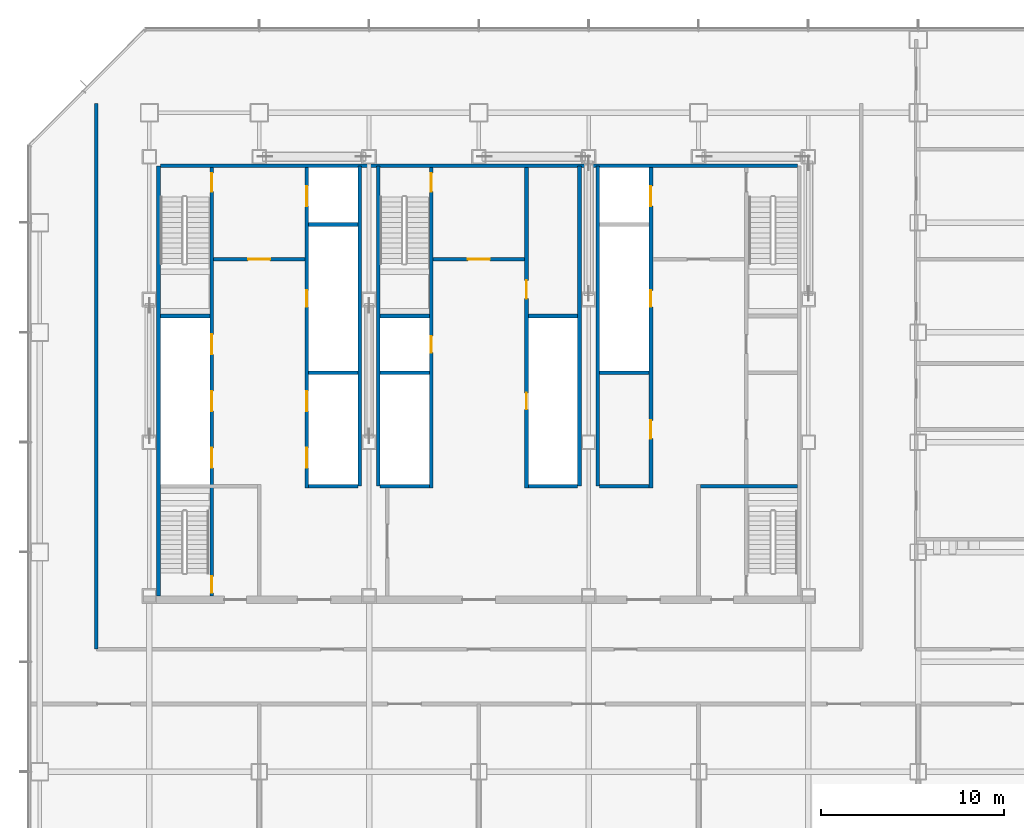
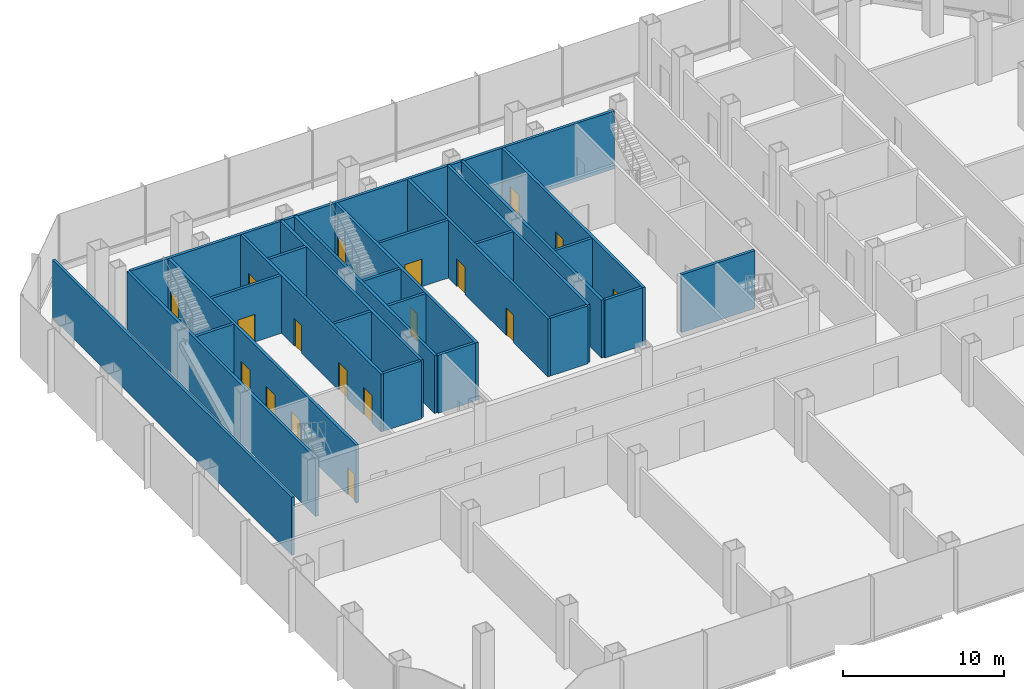
# One storey, part 24 of 33: 26 walls, 18 doors, 18 openings.
"""IFC4 building model written with IfcOpenShell, lengths in metres."""

from ifc_helpers import new_model, si_unit, direction, frame, frame_2d, origin, place, context, subcontext, project, spatial, rectangle, extrude, material, layer, layer_set, type_object, element, fill, save


model = new_model("IFC4")

# Units and contexts
model_context = context("Model", 3, precision=1e-05, world=origin(), true_north=direction((0.0, 1.0)))
body_context = subcontext(model_context, "Body", "Model", "MODEL_VIEW")
ifc_project = project(units=[si_unit("LENGTHUNIT", "METRE"), si_unit("AREAUNIT", "SQUARE_METRE"), si_unit("VOLUMEUNIT", "CUBIC_METRE"), si_unit("PLANEANGLEUNIT", "RADIAN"), si_unit("MASSUNIT", "GRAM", prefix="KILO")], contexts=[model_context])

# Site, building, storey
site_placement = place(None, origin())
site = spatial("IfcSite", under=ifc_project, at=site_placement, CompositionType="ELEMENT")
building_placement = place(site_placement, origin())
building = spatial("IfcBuilding", under=site, at=building_placement, Name="Sorahane Residences", CompositionType="ELEMENT")
storey_placement = place(building_placement, frame((0.0, 0.0, 30.0)))
storey = spatial("IfcBuildingStorey", under=building, at=storey_placement, Name="L04", CompositionType="ELEMENT", Elevation=30.0)

# Walls
ifc_material_1 = material(Name="Concrete C30", Category="concrete")
ifc_layer_1 = layer(ifc_material_1, 0.199951171875)
ifc_layer_set_1 = layer_set([ifc_layer_1], Name="Core face wall 200 EI 180")
wall_type_1 = type_object("IfcWallType", Name="Core face wall 200 EI 180", PredefinedType="SOLIDWALL", material=ifc_layer_set_1)
wall_1_placement = place(storey_placement, frame((6.5, 21.60009765625, 0.0), z_axis=(0.0, 0.0, 1.0), x_axis=(0.0, 1.0, 0.0)))
element("IfcWall", 1, at=wall_1_placement, inside=storey, type_object=wall_type_1, Name="L04 core face wall", PredefinedType="SOLIDWALL", context=body_context, shape_type="SweptSolid", body=[
    extrude(rectangle(XDim=23.5, YDim=0.199951171875, at=frame_2d((11.75, 0.0))), origin(), (0.0, 0.0, 1.0), 4.39990234375),
])
wall_2_placement = place(storey_placement, frame((6.60009765625, 45.10009765625, 0.0), z_axis=(0.0, 0.0, 1.0), x_axis=(1.0, 0.0, 0.0)))
element("IfcWall", 2, at=wall_2_placement, inside=storey, type_object=wall_type_1, Name="L04 core face wall", PredefinedType="SOLIDWALL", context=body_context, shape_type="SweptSolid", body=[
    extrude(rectangle(XDim=34.7998046875, YDim=0.199951171875, at=frame_2d((17.39990234375, 0.0))), origin(), (0.0, 0.0, 1.0), 4.39990234375),
])
for number, where, z_axis, x_axis, name in (
    (3, (17.5, 27.60009765625, 0.0), (0.0, 0.0, 1.0), (0.0, 1.0, 0.0), "L04 core face wall"),
    (4, (18.5, 27.60009765625, 0.0), (0.0, 0.0, 1.0), (0.0, 1.0, 0.0), "L04 core face wall"),
    (5, (29.5, 27.60009765625, 0.0), (0.0, 0.0, 1.0), (0.0, 1.0, 0.0), "L04 core face wall"),
    (6, (30.5, 27.60009765625, 0.0), (0.0, 0.0, 1.0), (0.0, 1.0, 0.0), "L04 core face wall"),
):
    element("IfcWall", number, at=place(storey_placement, frame(where, z_axis=z_axis, x_axis=x_axis)), inside=storey, type_object=wall_type_1, Name=name, PredefinedType="SOLIDWALL", context=body_context, shape_type="SweptSolid", body=[
        extrude(rectangle(XDim=17.5, YDim=0.199951171875, at=frame_2d((8.75, 0.0))), origin(), (0.0, 0.0, 1.0), 4.39990234375),
    ])
ifc_material_2 = material(Name="Concrete blockwork C20 wall", Category="masonry")
ifc_layer_2 = layer(ifc_material_2, 0.199951171875)
ifc_layer_set_2 = layer_set([ifc_layer_2], Name="Corridor wall 200 EI 120")
wall_type_2 = type_object("IfcWallType", Name="Corridor wall 200 EI 120", PredefinedType="SOLIDWALL", material=ifc_layer_set_2)
wall_3_placement = place(storey_placement, frame((3.10009765625, 18.699951171875, 0.0), z_axis=(0.0, 0.0, 1.0), x_axis=(0.0, 1.0, 0.0)))
element("IfcWall", 7, at=wall_3_placement, inside=storey, type_object=wall_type_2, Name="L04 corridor wall", PredefinedType="SOLIDWALL", context=body_context, shape_type="SweptSolid", body=[
    extrude(rectangle(XDim=29.800048828125, YDim=0.199951171875, at=frame_2d((14.89990234375, 0.0))), origin(), (0.0, 0.0, 1.0), 4.39990234375),
])

# Wall, opening, door
ifc_material_3 = material(Name="Concrete C30", Category="concrete")
ifc_layer_3 = layer(ifc_material_3, 0.199951171875)
ifc_layer_set_3 = layer_set([ifc_layer_3], Name="Front room wall 200 EI 120")
wall_type_3 = type_object("IfcWallType", Name="Front room wall 200 EI 120", PredefinedType="PARTITIONING", material=ifc_layer_set_3)
wall_4_placement = place(storey_placement, frame((21.5, 40.0, 0.0), z_axis=(0.0, 0.0, 1.0), x_axis=(1.0, 0.0, 0.0)))
wall_4 = element("IfcWall", 8, at=wall_4_placement, inside=storey, type_object=wall_type_3, Name="L04 front room wall", PredefinedType="PARTITIONING", context=body_context, shape_type="SweptSolid", body=[
    extrude(rectangle(XDim=5.0, YDim=0.199951171875, at=frame_2d((2.5, 0.0))), origin(), (0.0, 0.0, 1.0), 4.39990234375),
])
opening_1_placement = place(wall_4_placement, frame((1.89990234375, 0.0, 0.0)))
opening_1 = element("IfcOpeningElement", 9, at=opening_1_placement, cuts=wall_4, Name="Opening L04-C08", PredefinedType="OPENING", context=body_context, shape_type="SweptSolid", body=[
    extrude(rectangle(XDim=1.199951171875, YDim=2.10009765625, at=frame_2d((0.60009765625, 1.050048828125))), frame((0.0, 0.10986328125, 0.0), z_axis=(0.0, -1.0, 0.0), x_axis=(1.0, 0.0, 0.0)), (0.0, 0.0, 1.0), 0.219970703125),
])
ifc_material_4 = material(Name="Steel", Category="steel")
door_type_1 = type_object("IfcDoorType", Name="Front room door 1200x2100 FD120", OperationType="NOTDEFINED", PredefinedType="DOOR", material=ifc_material_4)
door_1_placement = place(opening_1_placement, frame((1.199951171875, 0.0, 0.0), z_axis=(0.0, 0.0, 1.0), x_axis=(-1.0, 0.0, 0.0)))
door_1 = element("IfcDoor", 10, at=door_1_placement, inside=storey, type_object=door_type_1, Name="Front room door Stair S3 vestibule L04", OperationType="DOUBLE_DOOR_SINGLE_SWING", OverallHeight=2.10009765625, OverallWidth=1.199951171875, PredefinedType="DOOR", context=body_context, shape_type="SweptSolid", body=[
    extrude(rectangle(XDim=1.199951171875, YDim=2.10009765625, at=frame_2d((0.60009765625, 1.050048828125))), frame((0.0, 0.02490234375, 0.0), z_axis=(0.0, -1.0, 0.0), x_axis=(1.0, 0.0, 0.0)), (0.0, 0.0, 1.0), 0.050048828125),
])
fill(opening_1, door_1)

wall_5_placement = place(storey_placement, frame((9.5, 40.0, 0.0), z_axis=(0.0, 0.0, 1.0), x_axis=(1.0, 0.0, 0.0)))
wall_5 = element("IfcWall", 11, at=wall_5_placement, inside=storey, type_object=wall_type_3, Name="L04 front room wall", PredefinedType="PARTITIONING", context=body_context, shape_type="SweptSolid", body=[
    extrude(rectangle(XDim=5.0, YDim=0.199951171875, at=frame_2d((2.5, 0.0))), origin(), (0.0, 0.0, 1.0), 4.39990234375),
])
opening_2_placement = place(wall_5_placement, frame((1.89990234375, 0.0, 0.0)))
opening_2 = element("IfcOpeningElement", 12, at=opening_2_placement, cuts=wall_5, Name="Opening L04-C07", PredefinedType="OPENING", context=body_context, shape_type="SweptSolid", body=[
    extrude(rectangle(XDim=1.199951171875, YDim=2.10009765625, at=frame_2d((0.60009765625, 1.050048828125))), frame((0.0, 0.10986328125, 0.0), z_axis=(0.0, -1.0, 0.0), x_axis=(1.0, 0.0, 0.0)), (0.0, 0.0, 1.0), 0.219970703125),
])
door_2_placement = place(opening_2_placement, frame((1.199951171875, 0.0, 0.0), z_axis=(0.0, 0.0, 1.0), x_axis=(-1.0, 0.0, 0.0)))
door_2 = element("IfcDoor", 13, at=door_2_placement, inside=storey, type_object=door_type_1, Name="Front room door Firefighting lobby FF1 front room L04", OperationType="DOUBLE_DOOR_SINGLE_SWING", OverallHeight=2.10009765625, OverallWidth=1.199951171875, PredefinedType="DOOR", context=body_context, shape_type="SweptSolid", body=[
    extrude(rectangle(XDim=1.199951171875, YDim=2.10009765625, at=frame_2d((0.60009765625, 1.050048828125))), frame((0.0, 0.02490234375, 0.0), z_axis=(0.0, -1.0, 0.0), x_axis=(1.0, 0.0, 0.0)), (0.0, 0.0, 1.0), 0.050048828125),
])
fill(opening_2, door_2)

# Wall, openings, doors
ifc_material_5 = material(Name="Concrete C30", Category="concrete")
ifc_layer_4 = layer(ifc_material_5, 0.199951171875)
ifc_layer_set_4 = layer_set([ifc_layer_4], Name="Lift shaft wall 200 EI 120")
wall_type_4 = type_object("IfcWallType", Name="Lift shaft wall 200 EI 120", PredefinedType="SOLIDWALL", material=ifc_layer_set_4)
wall_6_placement = place(storey_placement, frame((14.60009765625, 27.5, 0.0), z_axis=(0.0, 0.0, 1.0), x_axis=(0.0, 1.0, 0.0)))
wall_6 = element("IfcWall", 14, at=wall_6_placement, inside=storey, type_object=wall_type_4, Name="L04 lift shaft wall", PredefinedType="SOLIDWALL", context=body_context, shape_type="SweptSolid", body=[
    extrude(rectangle(XDim=17.5, YDim=0.199951171875, at=frame_2d((8.75, 0.0))), origin(), (0.0, 0.0, 1.0), 4.39990234375),
])
opening_3_placement = place(wall_6_placement, frame((1.10009765625, 0.0, 0.0)))
opening_3 = element("IfcOpeningElement", 15, at=opening_3_placement, cuts=wall_6, Name="Opening L04-C11", PredefinedType="OPENING", context=body_context, shape_type="SweptSolid", body=[
    extrude(rectangle(XDim=1.10009765625, YDim=2.10009765625, at=frame_2d((0.550048828125, 1.050048828125))), frame((0.0, 0.10986328125, 0.0), z_axis=(0.0, -1.0, 0.0), x_axis=(1.0, 0.0, 0.0)), (0.0, 0.0, 1.0), 0.219970703125),
])
opening_4_placement = place(wall_6_placement, frame((4.199951171875, 0.0, 0.0)))
opening_4 = element("IfcOpeningElement", 16, at=opening_4_placement, cuts=wall_6, Name="Opening L04-C12", PredefinedType="OPENING", context=body_context, shape_type="SweptSolid", body=[
    extrude(rectangle(XDim=1.10009765625, YDim=2.10009765625, at=frame_2d((0.550048828125, 1.050048828125))), frame((0.0, 0.10986328125, 0.0), z_axis=(0.0, -1.0, 0.0), x_axis=(1.0, 0.0, 0.0)), (0.0, 0.0, 1.0), 0.219970703125),
])
opening_5_placement = place(wall_6_placement, frame((15.39990234375, 0.0, 0.0)))
opening_5 = element("IfcOpeningElement", 17, at=opening_5_placement, cuts=wall_6, Name="Opening L04-C13", PredefinedType="OPENING", context=body_context, shape_type="SweptSolid", body=[
    extrude(rectangle(XDim=1.10009765625, YDim=2.10009765625, at=frame_2d((0.550048828125, 1.050048828125))), frame((0.0, 0.10986328125, 0.0), z_axis=(0.0, -1.0, 0.0), x_axis=(1.0, 0.0, 0.0)), (0.0, 0.0, 1.0), 0.219970703125),
])
opening_6_placement = place(wall_6_placement, frame((9.89990234375, 0.0, 0.0)))
opening_6 = element("IfcOpeningElement", 18, at=opening_6_placement, cuts=wall_6, Name="Opening L04-C25", PredefinedType="OPENING", context=body_context, shape_type="SweptSolid", body=[
    extrude(rectangle(XDim=0.89990234375, YDim=2.10009765625, at=frame_2d((0.449951171875, 1.050048828125))), frame((0.0, 0.10986328125, 0.0), z_axis=(0.0, -1.0, 0.0), x_axis=(1.0, 0.0, 0.0)), (0.0, 0.0, 1.0), 0.219970703125),
])
ifc_material_6 = material(Name="Aluminium and stainless steel", Category="steel")
door_type_2 = type_object("IfcDoorType", Name="Lift landing door 1100x2100 E 60", OperationType="NOTDEFINED", PredefinedType="DOOR", material=ifc_material_6)
door_3_placement = place(opening_3_placement, origin())
door_3 = element("IfcDoor", 19, at=door_3_placement, inside=storey, type_object=door_type_2, Name="Lift landing door LR4 L04", OperationType="DOUBLE_DOOR_SLIDING", OverallHeight=2.10009765625, OverallWidth=1.10009765625, PredefinedType="DOOR", context=body_context, shape_type="SweptSolid", body=[
    extrude(rectangle(XDim=1.10009765625, YDim=2.10009765625, at=frame_2d((0.550048828125, 1.050048828125))), frame((0.0, 0.02490234375, 0.0), z_axis=(0.0, -1.0, 0.0), x_axis=(1.0, 0.0, 0.0)), (0.0, 0.0, 1.0), 0.050048828125),
])
fill(opening_3, door_3)
door_4_placement = place(opening_4_placement, origin())
door_4 = element("IfcDoor", 20, at=door_4_placement, inside=storey, type_object=door_type_2, Name="Lift landing door LR5 L04", OperationType="DOUBLE_DOOR_SLIDING", OverallHeight=2.10009765625, OverallWidth=1.10009765625, PredefinedType="DOOR", context=body_context, shape_type="SweptSolid", body=[
    extrude(rectangle(XDim=1.10009765625, YDim=2.10009765625, at=frame_2d((0.550048828125, 1.050048828125))), frame((0.0, 0.02490234375, 0.0), z_axis=(0.0, -1.0, 0.0), x_axis=(1.0, 0.0, 0.0)), (0.0, 0.0, 1.0), 0.050048828125),
])
fill(opening_4, door_4)
door_5_placement = place(opening_5_placement, origin())
door_5 = element("IfcDoor", 21, at=door_5_placement, inside=storey, type_object=door_type_2, Name="Lift landing door FF1 L04", OperationType="DOUBLE_DOOR_SLIDING", OverallHeight=2.10009765625, OverallWidth=1.10009765625, PredefinedType="DOOR", context=body_context, shape_type="SweptSolid", body=[
    extrude(rectangle(XDim=1.10009765625, YDim=2.10009765625, at=frame_2d((0.550048828125, 1.050048828125))), frame((0.0, 0.02490234375, 0.0), z_axis=(0.0, -1.0, 0.0), x_axis=(1.0, 0.0, 0.0)), (0.0, 0.0, 1.0), 0.050048828125),
])
fill(opening_5, door_5)
ifc_material_7 = material(Name="Steel", Category="steel")
door_type_3 = type_object("IfcDoorType", Name="Riser door 900x2100 FD120", OperationType="NOTDEFINED", PredefinedType="DOOR", material=ifc_material_7)
door_6_placement = place(opening_6_placement, origin())
door_6 = element("IfcDoor", 22, at=door_6_placement, inside=storey, type_object=door_type_3, Name="Riser door R1 L04", OperationType="SINGLE_SWING_LEFT", OverallHeight=2.10009765625, OverallWidth=0.89990234375, PredefinedType="DOOR", context=body_context, shape_type="SweptSolid", body=[
    extrude(rectangle(XDim=0.89990234375, YDim=2.10009765625, at=frame_2d((0.449951171875, 1.050048828125))), frame((0.0, 0.02490234375, 0.0), z_axis=(0.0, -1.0, 0.0), x_axis=(1.0, 0.0, 0.0)), (0.0, 0.0, 1.0), 0.050048828125),
])
fill(opening_6, door_6)

wall_7_placement = place(storey_placement, frame((33.39990234375, 27.5, 0.0), z_axis=(0.0, 0.0, 1.0), x_axis=(0.0, 1.0, 0.0)))
wall_7 = element("IfcWall", 23, at=wall_7_placement, inside=storey, type_object=wall_type_4, Name="L04 lift shaft wall", PredefinedType="SOLIDWALL", context=body_context, shape_type="SweptSolid", body=[
    extrude(rectangle(XDim=17.5, YDim=0.199951171875, at=frame_2d((8.75, 0.0))), origin(), (0.0, 0.0, 1.0), 4.39990234375),
])
opening_7_placement = place(wall_7_placement, frame((15.39990234375, 0.0, 0.0)))
opening_7 = element("IfcOpeningElement", 24, at=opening_7_placement, cuts=wall_7, Name="Opening L04-C10", PredefinedType="OPENING", context=body_context, shape_type="SweptSolid", body=[
    extrude(rectangle(XDim=1.10009765625, YDim=2.10009765625, at=frame_2d((0.550048828125, 1.050048828125))), frame((0.0, 0.10986328125, 0.0), z_axis=(0.0, -1.0, 0.0), x_axis=(1.0, 0.0, 0.0)), (0.0, 0.0, 1.0), 0.219970703125),
])
opening_8_placement = place(wall_7_placement, frame((2.699951171875, 0.0, 0.0)))
opening_8 = element("IfcOpeningElement", 25, at=opening_8_placement, cuts=wall_7, Name="Opening L04-C19", PredefinedType="OPENING", context=body_context, shape_type="SweptSolid", body=[
    extrude(rectangle(XDim=1.0, YDim=2.10009765625, at=frame_2d((0.5, 1.050048828125))), frame((0.0, 0.10986328125, 0.0), z_axis=(0.0, -1.0, 0.0), x_axis=(1.0, 0.0, 0.0)), (0.0, 0.0, 1.0), 0.219970703125),
])
opening_9_placement = place(wall_7_placement, frame((9.89990234375, 0.0, 0.0)))
opening_9 = element("IfcOpeningElement", 26, at=opening_9_placement, cuts=wall_7, Name="Opening L04-C26", PredefinedType="OPENING", context=body_context, shape_type="SweptSolid", body=[
    extrude(rectangle(XDim=0.89990234375, YDim=2.10009765625, at=frame_2d((0.449951171875, 1.050048828125))), frame((0.0, 0.10986328125, 0.0), z_axis=(0.0, -1.0, 0.0), x_axis=(1.0, 0.0, 0.0)), (0.0, 0.0, 1.0), 0.219970703125),
])
door_7_placement = place(opening_7_placement, origin())
door_7 = element("IfcDoor", 27, at=door_7_placement, inside=storey, type_object=door_type_2, Name="Lift landing door FF2 L04", OperationType="DOUBLE_DOOR_SLIDING", OverallHeight=2.10009765625, OverallWidth=1.10009765625, PredefinedType="DOOR", context=body_context, shape_type="SweptSolid", body=[
    extrude(rectangle(XDim=1.10009765625, YDim=2.10009765625, at=frame_2d((0.550048828125, 1.050048828125))), frame((0.0, 0.02490234375, 0.0), z_axis=(0.0, -1.0, 0.0), x_axis=(1.0, 0.0, 0.0)), (0.0, 0.0, 1.0), 0.050048828125),
])
fill(opening_7, door_7)
door_8_placement = place(opening_9_placement, frame((0.89990234375, 0.0, 0.0), z_axis=(0.0, 0.0, 1.0), x_axis=(-1.0, 0.0, 0.0)))
door_8 = element("IfcDoor", 28, at=door_8_placement, inside=storey, type_object=door_type_3, Name="Riser door R2 L04", OperationType="SINGLE_SWING_LEFT", OverallHeight=2.10009765625, OverallWidth=0.89990234375, PredefinedType="DOOR", context=body_context, shape_type="SweptSolid", body=[
    extrude(rectangle(XDim=0.89990234375, YDim=2.10009765625, at=frame_2d((0.449951171875, 1.050048828125))), frame((0.0, 0.02490234375, 0.0), z_axis=(0.0, -1.0, 0.0), x_axis=(1.0, 0.0, 0.0)), (0.0, 0.0, 1.0), 0.050048828125),
])
fill(opening_9, door_8)
ifc_material_8 = material(Name="Steel", Category="steel")
door_type_4 = type_object("IfcDoorType", Name="Service room door 1000x2100 FD60", OperationType="NOTDEFINED", PredefinedType="DOOR", material=ifc_material_8)
door_9_placement = place(opening_8_placement, origin())
door_9 = element("IfcDoor", 29, at=door_9_placement, inside=storey, type_object=door_type_4, Name="Service room door Guest suite store L04", OperationType="SINGLE_SWING_RIGHT", OverallHeight=2.10009765625, OverallWidth=1.0, PredefinedType="DOOR", context=body_context, shape_type="SweptSolid", body=[
    extrude(rectangle(XDim=1.0, YDim=2.10009765625, at=frame_2d((0.5, 1.050048828125))), frame((0.0, 0.02490234375, 0.0), z_axis=(0.0, -1.0, 0.0), x_axis=(1.0, 0.0, 0.0)), (0.0, 0.0, 1.0), 0.050048828125),
])
fill(opening_8, door_9)

# Walls
for number, where, z_axis, x_axis, name in (
    (30, (14.699951171875, 27.60009765625, 0.0), (0.0, 0.0, 1.0), (1.0, 0.0, 0.0), "L04 lift shaft wall"),
    (31, (18.60009765625, 27.60009765625, 0.0), (0.0, 0.0, 1.0), (1.0, 0.0, 0.0), "L04 lift shaft wall"),
    (32, (14.699951171875, 33.800048828125, 0.0), (0.0, 0.0, 1.0), (1.0, 0.0, 0.0), "L04 lift shaft wall"),
    (33, (18.60009765625, 33.800048828125, 0.0), (0.0, 0.0, 1.0), (1.0, 0.0, 0.0), "L04 lift shaft wall"),
    (34, (14.699951171875, 41.89990234375, 0.0), (0.0, 0.0, 1.0), (1.0, 0.0, 0.0), "L04 lift shaft wall"),
):
    element("IfcWall", number, at=place(storey_placement, frame(where, z_axis=z_axis, x_axis=x_axis)), inside=storey, type_object=wall_type_4, Name=name, PredefinedType="SOLIDWALL", context=body_context, shape_type="SweptSolid", body=[
        extrude(rectangle(XDim=2.699951171875, YDim=0.199951171875, at=frame_2d((1.35009765625, 0.0))), origin(), (0.0, 0.0, 1.0), 4.39990234375),
    ])

# Wall, openings, doors
ifc_material_9 = material(Name="Concrete C30", Category="concrete")
ifc_layer_5 = layer(ifc_material_9, 0.199951171875)
ifc_layer_set_5 = layer_set([ifc_layer_5], Name="Riser shaft wall 200 EI 120")
wall_type_5 = type_object("IfcWallType", Name="Riser shaft wall 200 EI 120", PredefinedType="SOLIDWALL", material=ifc_layer_set_5)
wall_8_placement = place(storey_placement, frame((26.60009765625, 27.5, 0.0), z_axis=(0.0, 0.0, 1.0), x_axis=(0.0, 1.0, 0.0)))
wall_8 = element("IfcWall", 35, at=wall_8_placement, inside=storey, type_object=wall_type_5, Name="L04 riser wall", PredefinedType="SOLIDWALL", context=body_context, shape_type="SweptSolid", body=[
    extrude(rectangle(XDim=17.5, YDim=0.199951171875, at=frame_2d((8.75, 0.0))), origin(), (0.0, 0.0, 1.0), 4.39990234375),
])
opening_10_placement = place(wall_8_placement, frame((4.300048828125, 0.0, 0.0)))
opening_10 = element("IfcOpeningElement", 36, at=opening_10_placement, cuts=wall_8, Name="Opening L04-C28", PredefinedType="OPENING", context=body_context, shape_type="SweptSolid", body=[
    extrude(rectangle(XDim=0.89990234375, YDim=2.10009765625, at=frame_2d((0.449951171875, 1.050048828125))), frame((0.0, 0.10986328125, 0.0), z_axis=(0.0, -1.0, 0.0), x_axis=(1.0, 0.0, 0.0)), (0.0, 0.0, 1.0), 0.219970703125),
])
opening_11_placement = place(wall_8_placement, frame((10.35009765625, 0.0, 0.0)))
opening_11 = element("IfcOpeningElement", 37, at=opening_11_placement, cuts=wall_8, Name="Opening L04-C29", PredefinedType="OPENING", context=body_context, shape_type="SweptSolid", body=[
    extrude(rectangle(XDim=1.0, YDim=2.10009765625, at=frame_2d((0.5, 1.050048828125))), frame((0.0, 0.10986328125, 0.0), z_axis=(0.0, -1.0, 0.0), x_axis=(1.0, 0.0, 0.0)), (0.0, 0.0, 1.0), 0.219970703125),
])
door_10_placement = place(opening_10_placement, origin())
door_10 = element("IfcDoor", 38, at=door_10_placement, inside=storey, type_object=door_type_3, Name="Riser door R4 L04", OperationType="SINGLE_SWING_LEFT", OverallHeight=2.10009765625, OverallWidth=0.89990234375, PredefinedType="DOOR", context=body_context, shape_type="SweptSolid", body=[
    extrude(rectangle(XDim=0.89990234375, YDim=2.10009765625, at=frame_2d((0.449951171875, 1.050048828125))), frame((0.0, 0.02490234375, 0.0), z_axis=(0.0, -1.0, 0.0), x_axis=(1.0, 0.0, 0.0)), (0.0, 0.0, 1.0), 0.050048828125),
])
fill(opening_10, door_10)
door_11_placement = place(opening_11_placement, frame((1.0, 0.0, 0.0), z_axis=(0.0, 0.0, 1.0), x_axis=(-1.0, 0.0, 0.0)))
door_11 = element("IfcDoor", 39, at=door_11_placement, inside=storey, type_object=door_type_4, Name="Service room door Housekeeping store L04", OperationType="SINGLE_SWING_LEFT", OverallHeight=2.10009765625, OverallWidth=1.0, PredefinedType="DOOR", context=body_context, shape_type="SweptSolid", body=[
    extrude(rectangle(XDim=1.0, YDim=2.10009765625, at=frame_2d((0.5, 1.050048828125))), frame((0.0, 0.02490234375, 0.0), z_axis=(0.0, -1.0, 0.0), x_axis=(1.0, 0.0, 0.0)), (0.0, 0.0, 1.0), 0.050048828125),
])
fill(opening_11, door_11)

# Walls
for number, where, z_axis, x_axis, name in (
    (40, (26.699951171875, 27.60009765625, 0.0), (0.0, 0.0, 1.0), (1.0, 0.0, 0.0), "L04 riser wall"),
    (41, (30.60009765625, 33.800048828125, 0.0), (0.0, 0.0, 1.0), (1.0, 0.0, 0.0), "L04 riser wall"),
    (42, (26.699951171875, 36.89990234375, 0.0), (0.0, 0.0, 1.0), (1.0, 0.0, 0.0), "L04 riser wall"),
):
    element("IfcWall", number, at=place(storey_placement, frame(where, z_axis=z_axis, x_axis=x_axis)), inside=storey, type_object=wall_type_5, Name=name, PredefinedType="SOLIDWALL", context=body_context, shape_type="SweptSolid", body=[
        extrude(rectangle(XDim=2.699951171875, YDim=0.199951171875, at=frame_2d((1.35009765625, 0.0))), origin(), (0.0, 0.0, 1.0), 4.39990234375),
    ])
ifc_material_10 = material(Name="Concrete C30", Category="concrete")
ifc_layer_6 = layer(ifc_material_10, 0.199951171875)
ifc_layer_set_6 = layer_set([ifc_layer_6], Name="Service room partition 200 EI 60")
wall_type_6 = type_object("IfcWallType", Name="Service room partition 200 EI 60", PredefinedType="PARTITIONING", material=ifc_layer_set_6)
wall_9_placement = place(storey_placement, frame((30.60009765625, 27.60009765625, 0.0), z_axis=(0.0, 0.0, 1.0), x_axis=(1.0, 0.0, 0.0)))
element("IfcWall", 43, at=wall_9_placement, inside=storey, type_object=wall_type_6, Name="L04 service room wall", PredefinedType="PARTITIONING", context=body_context, shape_type="SweptSolid", body=[
    extrude(rectangle(XDim=2.699951171875, YDim=0.199951171875, at=frame_2d((1.35009765625, 0.0))), origin(), (0.0, 0.0, 1.0), 4.39990234375),
])

# Wall, openings, doors
ifc_material_11 = material(Name="Concrete C30", Category="concrete")
ifc_layer_7 = layer(ifc_material_11, 0.199951171875)
ifc_layer_set_7 = layer_set([ifc_layer_7], Name="Stair enclosure wall 200 EI 120")
wall_type_7 = type_object("IfcWallType", Name="Stair enclosure wall 200 EI 120", PredefinedType="SOLIDWALL", material=ifc_layer_set_7)
wall_10_placement = place(storey_placement, frame((21.39990234375, 27.5, 0.0), z_axis=(0.0, 0.0, 1.0), x_axis=(0.0, 1.0, 0.0)))
wall_10 = element("IfcWall", 44, at=wall_10_placement, inside=storey, type_object=wall_type_7, Name="L04 stair enclosure wall", PredefinedType="SOLIDWALL", context=body_context, shape_type="SweptSolid", body=[
    extrude(rectangle(XDim=17.5, YDim=0.199951171875, at=frame_2d((8.75, 0.0))), origin(), (0.0, 0.0, 1.0), 4.39990234375),
])
opening_12_placement = place(wall_10_placement, frame((16.199951171875, 0.0, 0.0)))
opening_12 = element("IfcOpeningElement", 45, at=opening_12_placement, cuts=wall_10, Name="Opening L04-C22", PredefinedType="OPENING", context=body_context, shape_type="SweptSolid", body=[
    extrude(rectangle(XDim=1.0, YDim=2.10009765625, at=frame_2d((0.5, 1.050048828125))), frame((0.0, 0.10986328125, 0.0), z_axis=(0.0, -1.0, 0.0), x_axis=(1.0, 0.0, 0.0)), (0.0, 0.0, 1.0), 0.219970703125),
])
opening_13_placement = place(wall_10_placement, frame((7.39990234375, 0.0, 0.0)))
opening_13 = element("IfcOpeningElement", 46, at=opening_13_placement, cuts=wall_10, Name="Opening L04-C27", PredefinedType="OPENING", context=body_context, shape_type="SweptSolid", body=[
    extrude(rectangle(XDim=0.89990234375, YDim=2.10009765625, at=frame_2d((0.449951171875, 1.050048828125))), frame((0.0, 0.10986328125, 0.0), z_axis=(0.0, -1.0, 0.0), x_axis=(1.0, 0.0, 0.0)), (0.0, 0.0, 1.0), 0.219970703125),
])
door_12_placement = place(opening_13_placement, frame((0.89990234375, 0.0, 0.0), z_axis=(0.0, 0.0, 1.0), x_axis=(-1.0, 0.0, 0.0)))
door_12 = element("IfcDoor", 47, at=door_12_placement, inside=storey, type_object=door_type_3, Name="Riser door R3 L04", OperationType="SINGLE_SWING_LEFT", OverallHeight=2.10009765625, OverallWidth=0.89990234375, PredefinedType="DOOR", context=body_context, shape_type="SweptSolid", body=[
    extrude(rectangle(XDim=0.89990234375, YDim=2.10009765625, at=frame_2d((0.449951171875, 1.050048828125))), frame((0.0, 0.02490234375, 0.0), z_axis=(0.0, -1.0, 0.0), x_axis=(1.0, 0.0, 0.0)), (0.0, 0.0, 1.0), 0.050048828125),
])
fill(opening_13, door_12)
ifc_material_12 = material(Name="Steel", Category="steel")
door_type_5 = type_object("IfcDoorType", Name="Stair door 1000x2100 FD120", OperationType="NOTDEFINED", PredefinedType="DOOR", material=ifc_material_12)
door_13_placement = place(opening_12_placement, origin())
door_13 = element("IfcDoor", 48, at=door_13_placement, inside=storey, type_object=door_type_5, Name="Stair door S3 L04", OperationType="SINGLE_SWING_LEFT", OverallHeight=2.10009765625, OverallWidth=1.0, PredefinedType="DOOR", context=body_context, shape_type="SweptSolid", body=[
    extrude(rectangle(XDim=1.0, YDim=2.10009765625, at=frame_2d((0.5, 1.050048828125))), frame((0.0, 0.02490234375, 0.0), z_axis=(0.0, -1.0, 0.0), x_axis=(1.0, 0.0, 0.0)), (0.0, 0.0, 1.0), 0.050048828125),
])
fill(opening_12, door_13)

wall_11_placement = place(storey_placement, frame((9.39990234375, 21.60009765625, 0.0), z_axis=(0.0, 0.0, 1.0), x_axis=(0.0, 1.0, 0.0)))
wall_11 = element("IfcWall", 49, at=wall_11_placement, inside=storey, type_object=wall_type_7, Name="L04 stair enclosure wall", PredefinedType="SOLIDWALL", context=body_context, shape_type="SweptSolid", body=[
    extrude(rectangle(XDim=23.39990234375, YDim=0.199951171875, at=frame_2d((11.699951171875, 0.0))), origin(), (0.0, 0.0, 1.0), 4.39990234375),
])
opening_14_placement = place(wall_11_placement, frame((7.0, 0.0, 0.0)))
opening_14 = element("IfcOpeningElement", 50, at=opening_14_placement, cuts=wall_11, Name="Opening L04-C14", PredefinedType="OPENING", context=body_context, shape_type="SweptSolid", body=[
    extrude(rectangle(XDim=1.10009765625, YDim=2.10009765625, at=frame_2d((0.550048828125, 1.050048828125))), frame((0.0, 0.10986328125, 0.0), z_axis=(0.0, -1.0, 0.0), x_axis=(1.0, 0.0, 0.0)), (0.0, 0.0, 1.0), 0.219970703125),
])
opening_15_placement = place(wall_11_placement, frame((10.10009765625, 0.0, 0.0)))
opening_15 = element("IfcOpeningElement", 51, at=opening_15_placement, cuts=wall_11, Name="Opening L04-C15", PredefinedType="OPENING", context=body_context, shape_type="SweptSolid", body=[
    extrude(rectangle(XDim=1.10009765625, YDim=2.10009765625, at=frame_2d((0.550048828125, 1.050048828125))), frame((0.0, 0.10986328125, 0.0), z_axis=(0.0, -1.0, 0.0), x_axis=(1.0, 0.0, 0.0)), (0.0, 0.0, 1.0), 0.219970703125),
])
opening_16_placement = place(wall_11_placement, frame((13.199951171875, 0.0, 0.0)))
opening_16 = element("IfcOpeningElement", 52, at=opening_16_placement, cuts=wall_11, Name="Opening L04-C16", PredefinedType="OPENING", context=body_context, shape_type="SweptSolid", body=[
    extrude(rectangle(XDim=1.10009765625, YDim=2.10009765625, at=frame_2d((0.550048828125, 1.050048828125))), frame((0.0, 0.10986328125, 0.0), z_axis=(0.0, -1.0, 0.0), x_axis=(1.0, 0.0, 0.0)), (0.0, 0.0, 1.0), 0.219970703125),
])
opening_17_placement = place(wall_11_placement, frame((22.10009765625, 0.0, 0.0)))
opening_17 = element("IfcOpeningElement", 53, at=opening_17_placement, cuts=wall_11, Name="Opening L04-C20", PredefinedType="OPENING", context=body_context, shape_type="SweptSolid", body=[
    extrude(rectangle(XDim=1.0, YDim=2.10009765625, at=frame_2d((0.5, 1.050048828125))), frame((0.0, 0.10986328125, 0.0), z_axis=(0.0, -1.0, 0.0), x_axis=(1.0, 0.0, 0.0)), (0.0, 0.0, 1.0), 0.219970703125),
])
opening_18_placement = place(wall_11_placement, frame((0.175048828125, 0.0, 0.0)))
opening_18 = element("IfcOpeningElement", 54, at=opening_18_placement, cuts=wall_11, Name="Opening L04-C23", PredefinedType="OPENING", context=body_context, shape_type="SweptSolid", body=[
    extrude(rectangle(XDim=0.89990234375, YDim=2.10009765625, at=frame_2d((0.449951171875, 1.050048828125))), frame((0.0, 0.10986328125, 0.0), z_axis=(0.0, -1.0, 0.0), x_axis=(1.0, 0.0, 0.0)), (0.0, 0.0, 1.0), 0.219970703125),
])
door_14_placement = place(opening_14_placement, origin())
door_14 = element("IfcDoor", 55, at=door_14_placement, inside=storey, type_object=door_type_2, Name="Lift landing door LR1 L04", OperationType="DOUBLE_DOOR_SLIDING", OverallHeight=2.10009765625, OverallWidth=1.10009765625, PredefinedType="DOOR", context=body_context, shape_type="SweptSolid", body=[
    extrude(rectangle(XDim=1.10009765625, YDim=2.10009765625, at=frame_2d((0.550048828125, 1.050048828125))), frame((0.0, 0.02490234375, 0.0), z_axis=(0.0, -1.0, 0.0), x_axis=(1.0, 0.0, 0.0)), (0.0, 0.0, 1.0), 0.050048828125),
])
fill(opening_14, door_14)
door_15_placement = place(opening_15_placement, origin())
door_15 = element("IfcDoor", 56, at=door_15_placement, inside=storey, type_object=door_type_2, Name="Lift landing door LR2 L04", OperationType="DOUBLE_DOOR_SLIDING", OverallHeight=2.10009765625, OverallWidth=1.10009765625, PredefinedType="DOOR", context=body_context, shape_type="SweptSolid", body=[
    extrude(rectangle(XDim=1.10009765625, YDim=2.10009765625, at=frame_2d((0.550048828125, 1.050048828125))), frame((0.0, 0.02490234375, 0.0), z_axis=(0.0, -1.0, 0.0), x_axis=(1.0, 0.0, 0.0)), (0.0, 0.0, 1.0), 0.050048828125),
])
fill(opening_15, door_15)
door_16_placement = place(opening_16_placement, origin())
door_16 = element("IfcDoor", 57, at=door_16_placement, inside=storey, type_object=door_type_2, Name="Lift landing door LR3 L04", OperationType="DOUBLE_DOOR_SLIDING", OverallHeight=2.10009765625, OverallWidth=1.10009765625, PredefinedType="DOOR", context=body_context, shape_type="SweptSolid", body=[
    extrude(rectangle(XDim=1.10009765625, YDim=2.10009765625, at=frame_2d((0.550048828125, 1.050048828125))), frame((0.0, 0.02490234375, 0.0), z_axis=(0.0, -1.0, 0.0), x_axis=(1.0, 0.0, 0.0)), (0.0, 0.0, 1.0), 0.050048828125),
])
fill(opening_16, door_16)
door_17_placement = place(opening_17_placement, origin())
door_17 = element("IfcDoor", 58, at=door_17_placement, inside=storey, type_object=door_type_5, Name="Stair door S1 L04", OperationType="SINGLE_SWING_LEFT", OverallHeight=2.10009765625, OverallWidth=1.0, PredefinedType="DOOR", context=body_context, shape_type="SweptSolid", body=[
    extrude(rectangle(XDim=1.0, YDim=2.10009765625, at=frame_2d((0.5, 1.050048828125))), frame((0.0, 0.02490234375, 0.0), z_axis=(0.0, -1.0, 0.0), x_axis=(1.0, 0.0, 0.0)), (0.0, 0.0, 1.0), 0.050048828125),
])
fill(opening_17, door_17)
ifc_material_13 = material(Name="Steel", Category="steel")
door_type_6 = type_object("IfcDoorType", Name="Stair door 900x2100 FD120", OperationType="NOTDEFINED", PredefinedType="DOOR", material=ifc_material_13)
door_18_placement = place(opening_18_placement, origin())
door_18 = element("IfcDoor", 59, at=door_18_placement, inside=storey, type_object=door_type_6, Name="Stair door S4 L04", OperationType="SINGLE_SWING_LEFT", OverallHeight=2.10009765625, OverallWidth=0.89990234375, PredefinedType="DOOR", context=body_context, shape_type="SweptSolid", body=[
    extrude(rectangle(XDim=0.89990234375, YDim=2.10009765625, at=frame_2d((0.449951171875, 1.050048828125))), frame((0.0, 0.02490234375, 0.0), z_axis=(0.0, -1.0, 0.0), x_axis=(1.0, 0.0, 0.0)), (0.0, 0.0, 1.0), 0.050048828125),
])
fill(opening_18, door_18)

# Walls
wall_12_placement = place(storey_placement, frame((36.10009765625, 27.60009765625, 0.0), z_axis=(0.0, 0.0, 1.0), x_axis=(1.0, 0.0, 0.0)))
element("IfcWall", 60, at=wall_12_placement, inside=storey, type_object=wall_type_7, Name="L04 stair enclosure wall", PredefinedType="SOLIDWALL", context=body_context, shape_type="SweptSolid", body=[
    extrude(rectangle(XDim=5.2998046875, YDim=0.199951171875, at=frame_2d((2.64990234375, 0.0))), origin(), (0.0, 0.0, 1.0), 4.39990234375),
])
for number, where, z_axis, x_axis, name in (
    (61, (18.60009765625, 36.89990234375, 0.0), (0.0, 0.0, 1.0), (1.0, 0.0, 0.0), "L04 stair enclosure wall"),
    (62, (6.60009765625, 36.89990234375, 0.0), (0.0, 0.0, 1.0), (1.0, 0.0, 0.0), "L04 stair enclosure wall"),
):
    element("IfcWall", number, at=place(storey_placement, frame(where, z_axis=z_axis, x_axis=x_axis)), inside=storey, type_object=wall_type_7, Name=name, PredefinedType="SOLIDWALL", context=body_context, shape_type="SweptSolid", body=[
        extrude(rectangle(XDim=2.699951171875, YDim=0.199951171875, at=frame_2d((1.35009765625, 0.0))), origin(), (0.0, 0.0, 1.0), 4.39990234375),
    ])

save(model, "model.ifc")
